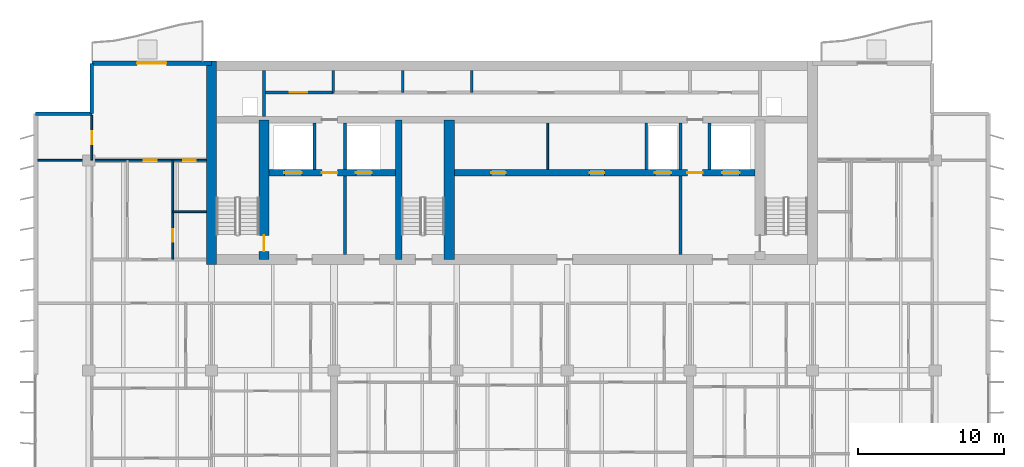
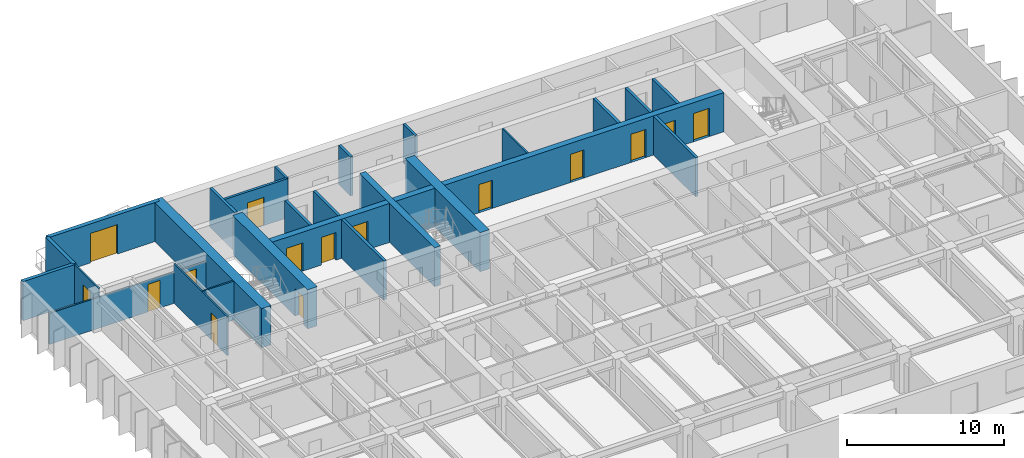
# One storey, part 11 of 17: 25 walls, 15 doors, 15 openings.
"""IFC4 building model written with IfcOpenShell, lengths in metres."""

from ifc_helpers import new_model, si_unit, direction, frame, frame_2d, origin, place, context, subcontext, project, spatial, rectangle, extrude, material, layer, layer_set, type_object, element, fill, save


model = new_model("IFC4")

# Units and contexts
model_context = context("Model", 3, precision=1e-05, world=origin(), true_north=direction((0.0, 1.0)))
body_context = subcontext(model_context, "Body", "Model", "MODEL_VIEW")
ifc_project = project(units=[si_unit("LENGTHUNIT", "METRE"), si_unit("AREAUNIT", "SQUARE_METRE"), si_unit("VOLUMEUNIT", "CUBIC_METRE"), si_unit("PLANEANGLEUNIT", "RADIAN"), si_unit("MASSUNIT", "GRAM", prefix="KILO")], contexts=[model_context])

# Site, building, storey
site_placement = place(None, origin())
site = spatial("IfcSite", under=ifc_project, at=site_placement, CompositionType="ELEMENT")
building_placement = place(site_placement, origin())
building = spatial("IfcBuilding", under=site, at=building_placement, Name="Caelmar Bay Residences", CompositionType="ELEMENT")
storey_placement = place(building_placement, frame((0.0, 0.0, 208.199951171875)))
storey = spatial("IfcBuildingStorey", under=building, at=storey_placement, Name="L58", CompositionType="ELEMENT", Elevation=208.199951171875)

# Wall
ifc_material_1 = material(Name="Concrete f'c 55 MPa (8,000 psi)", Category="concrete")
ifc_layer_1 = layer(ifc_material_1, 0.699951171875)
ifc_layer_set_1 = layer_set([ifc_layer_1], Name="Concrete f'c 55 MPa (8,000 psi)")
wall_type_1 = type_object("IfcWallType", Name="SW-COR-700", PredefinedType="SHEAR", material=ifc_layer_set_1)
wall_1_placement = place(storey_placement, frame((18.300048828125, 36.64990234375, 0.0), z_axis=(0.0, 0.0, 1.0), x_axis=(0.0, 1.0, 0.0)))
element("IfcWall", 1, at=wall_1_placement, inside=storey, type_object=wall_type_1, Name="L58 Rear Core West Shear Wall", PredefinedType="SHEAR", context=body_context, shape_type="SweptSolid", body=[
    extrude(rectangle(XDim=13.9501953125, YDim=0.699951171875, at=frame_2d((6.97509765625, 0.0))), origin(), (0.0, 0.0, 1.0), 3.050048828125),
])

# Wall, opening, door
wall_2_placement = place(storey_placement, frame((21.89990234375, 37.0, 0.0), z_axis=(0.0, 0.0, 1.0), x_axis=(0.0, 1.0, 0.0)))
wall_2 = element("IfcWall", 2, at=wall_2_placement, inside=storey, type_object=wall_type_1, Name="L58 Core Structural Web Wall ST1E", PredefinedType="SHEAR", context=body_context, shape_type="SweptSolid", body=[
    extrude(rectangle(XDim=9.574951171875, YDim=0.699951171875, at=frame_2d((4.78759765625, 0.0))), origin(), (0.0, 0.0, 1.0), 3.050048828125),
])
opening_1_placement = place(wall_2_placement, frame((0.550048828125, 0.0, 0.0)))
opening_1 = element("IfcOpeningElement", 3, at=opening_1_placement, cuts=wall_2, Name="Opening D-L58-107", PredefinedType="OPENING", context=body_context, shape_type="SweptSolid", body=[
    extrude(rectangle(XDim=1.10009765625, YDim=2.14990234375, at=frame_2d((0.550048828125, 1.074951171875))), frame((0.0, 0.35986328125, 0.0), z_axis=(0.0, -1.0, 0.0), x_axis=(1.0, 0.0, 0.0)), (0.0, 0.0, 1.0), 0.719970703125),
])
ifc_material_2 = material(Name="Fire-rated steel and walnut architectural door assembly", Category="steel")
ifc_layer_2 = layer(ifc_material_2, 0.050048828125)
ifc_layer_set_2 = layer_set([ifc_layer_2], Name="Fire-rated steel and walnut architectural door assembly")
door_type_1 = type_object("IfcDoorType", Name="D-STAIR-1100", OperationType="NOTDEFINED", PredefinedType="DOOR", material=ifc_layer_set_2)
door_1_placement = place(opening_1_placement, origin())
door_1 = element("IfcDoor", 4, at=door_1_placement, inside=storey, type_object=door_type_1, Name="L58 Firefighting Lobby West Door", OperationType="SINGLE_SWING_RIGHT", OverallHeight=2.14990234375, OverallWidth=1.10009765625, PredefinedType="DOOR", context=body_context, shape_type="SweptSolid", body=[
    extrude(rectangle(XDim=1.10009765625, YDim=2.14990234375, at=frame_2d((0.550048828125, 1.074951171875))), frame((0.0, 0.02490234375, 0.0), z_axis=(0.0, -1.0, 0.0), x_axis=(1.0, 0.0, 0.0)), (0.0, 0.0, 1.0), 0.050048828125),
])
fill(opening_1, door_1)

# Walls
wall_3_placement = place(storey_placement, frame((34.60009765625, 37.0, 0.0), z_axis=(0.0, 0.0, 1.0), x_axis=(0.0, 1.0, 0.0)))
element("IfcWall", 5, at=wall_3_placement, inside=storey, type_object=wall_type_1, Name="L58 Core Structural Web Wall ST3E", PredefinedType="SHEAR", context=body_context, shape_type="SweptSolid", body=[
    extrude(rectangle(XDim=9.574951171875, YDim=0.699951171875, at=frame_2d((4.78759765625, 0.0))), origin(), (0.0, 0.0, 1.0), 3.050048828125),
])
ifc_material_3 = material(Name="Concrete f'c 70 MPa (10,000 psi)", Category="concrete")
ifc_layer_3 = layer(ifc_material_3, 0.449951171875)
ifc_layer_set_3 = layer_set([ifc_layer_3], Name="Concrete f'c 70 MPa (10,000 psi)")
wall_type_2 = type_object("IfcWallType", Name="SW-WEB-450", PredefinedType="SHEAR", material=ifc_layer_set_3)
wall_4_placement = place(storey_placement, frame((31.125, 37.0, 0.0), z_axis=(0.0, 0.0, 1.0), x_axis=(0.0, 1.0, 0.0)))
element("IfcWall", 6, at=wall_4_placement, inside=storey, type_object=wall_type_2, Name="L58 Core Structural Web Wall ST3W", PredefinedType="SHEAR", context=body_context, shape_type="SweptSolid", body=[
    extrude(rectangle(XDim=9.574951171875, YDim=0.449951171875, at=frame_2d((4.78759765625, 0.0))), origin(), (0.0, 0.0, 1.0), 3.050048828125),
])

# Wall, openings, doors
wall_5_placement = place(storey_placement, frame((22.25, 42.949951171875, 0.0), z_axis=(0.0, 0.0, 1.0), x_axis=(1.0, 0.0, 0.0)))
wall_5 = element("IfcWall", 7, at=wall_5_placement, inside=storey, type_object=wall_type_2, Name="L58 Core Structural Web Wall LFR", PredefinedType="SHEAR", context=body_context, shape_type="SweptSolid", body=[
    extrude(rectangle(XDim=33.300048828125, YDim=0.449951171875, at=frame_2d((16.64990234375, 0.0))), origin(), (0.0, 0.0, 1.0), 3.050048828125),
])
opening_2_placement = place(wall_5_placement, frame((1.050048828125, 0.0, 0.0)))
opening_2 = element("IfcOpeningElement", 8, at=opening_2_placement, cuts=wall_5, Name="Opening LD2", PredefinedType="OPENING", context=body_context, shape_type="SweptSolid", body=[
    extrude(rectangle(XDim=1.199951171875, YDim=2.199951171875, at=frame_2d((0.60009765625, 1.10009765625))), frame((0.0, 0.23486328125, 0.0), z_axis=(0.0, -1.0, 0.0), x_axis=(1.0, 0.0, 0.0)), (0.0, 0.0, 1.0), 0.469970703125),
])
opening_3_placement = place(wall_5_placement, frame((31.050048828125, 0.0, 0.0)))
opening_3 = element("IfcOpeningElement", 9, at=opening_3_placement, cuts=wall_5, Name="Opening LD2", PredefinedType="OPENING", context=body_context, shape_type="SweptSolid", body=[
    extrude(rectangle(XDim=1.199951171875, YDim=2.199951171875, at=frame_2d((0.60009765625, 1.10009765625))), frame((0.0, 0.23486328125, 0.0), z_axis=(0.0, -1.0, 0.0), x_axis=(1.0, 0.0, 0.0)), (0.0, 0.0, 1.0), 0.469970703125),
])
opening_4_placement = place(wall_5_placement, frame((26.449951171875, 0.0, 0.0)))
opening_4 = element("IfcOpeningElement", 10, at=opening_4_placement, cuts=wall_5, Name="Opening LD1", PredefinedType="OPENING", context=body_context, shape_type="SweptSolid", body=[
    extrude(rectangle(XDim=1.10009765625, YDim=2.199951171875, at=frame_2d((0.550048828125, 1.10009765625))), frame((0.0, 0.23486328125, 0.0), z_axis=(0.0, -1.0, 0.0), x_axis=(1.0, 0.0, 0.0)), (0.0, 0.0, 1.0), 0.469970703125),
])
opening_5_placement = place(wall_5_placement, frame((5.949951171875, 0.0, 0.0)))
opening_5 = element("IfcOpeningElement", 11, at=opening_5_placement, cuts=wall_5, Name="Opening LD1", PredefinedType="OPENING", context=body_context, shape_type="SweptSolid", body=[
    extrude(rectangle(XDim=1.10009765625, YDim=2.199951171875, at=frame_2d((0.550048828125, 1.10009765625))), frame((0.0, 0.23486328125, 0.0), z_axis=(0.0, -1.0, 0.0), x_axis=(1.0, 0.0, 0.0)), (0.0, 0.0, 1.0), 0.469970703125),
])
opening_6_placement = place(wall_5_placement, frame((3.625, 0.0, 0.0)))
opening_6 = element("IfcOpeningElement", 12, at=opening_6_placement, cuts=wall_5, Name="Opening D-L58-108", PredefinedType="OPENING", context=body_context, shape_type="SweptSolid", body=[
    extrude(rectangle(XDim=1.050048828125, YDim=2.14990234375, at=frame_2d((0.52490234375, 1.074951171875))), frame((0.0, 0.23486328125, 0.0), z_axis=(0.0, -1.0, 0.0), x_axis=(1.0, 0.0, 0.0)), (0.0, 0.0, 1.0), 0.469970703125),
])
opening_7_placement = place(wall_5_placement, frame((28.675048828125, 0.0, 0.0)))
opening_7 = element("IfcOpeningElement", 13, at=opening_7_placement, cuts=wall_5, Name="Opening D-L58-111", PredefinedType="OPENING", context=body_context, shape_type="SweptSolid", body=[
    extrude(rectangle(XDim=1.050048828125, YDim=2.14990234375, at=frame_2d((0.52490234375, 1.074951171875))), frame((0.0, 0.23486328125, 0.0), z_axis=(0.0, -1.0, 0.0), x_axis=(1.0, 0.0, 0.0)), (0.0, 0.0, 1.0), 0.469970703125),
])
opening_8_placement = place(wall_5_placement, frame((15.22509765625, 0.0, 0.0)))
opening_8 = element("IfcOpeningElement", 14, at=opening_8_placement, cuts=wall_5, Name="Opening D-L58-114", PredefinedType="OPENING", context=body_context, shape_type="SweptSolid", body=[
    extrude(rectangle(XDim=1.0, YDim=2.199951171875, at=frame_2d((0.5, 1.10009765625))), frame((0.0, 0.23486328125, 0.0), z_axis=(0.0, -1.0, 0.0), x_axis=(1.0, 0.0, 0.0)), (0.0, 0.0, 1.0), 0.469970703125),
])
opening_9_placement = place(wall_5_placement, frame((21.97509765625, 0.0, 0.0)))
opening_9 = element("IfcOpeningElement", 15, at=opening_9_placement, cuts=wall_5, Name="Opening D-L58-115", PredefinedType="OPENING", context=body_context, shape_type="SweptSolid", body=[
    extrude(rectangle(XDim=1.0, YDim=2.199951171875, at=frame_2d((0.5, 1.10009765625))), frame((0.0, 0.23486328125, 0.0), z_axis=(0.0, -1.0, 0.0), x_axis=(1.0, 0.0, 0.0)), (0.0, 0.0, 1.0), 0.469970703125),
])
ifc_layer_4 = layer(ifc_material_2, 0.050048828125)
ifc_layer_set_4 = layer_set([ifc_layer_4], Name="Fire-rated steel and walnut architectural door assembly")
door_type_2 = type_object("IfcDoorType", Name="D-FSAE-1050", OperationType="NOTDEFINED", PredefinedType="DOOR", material=ifc_layer_set_4)
door_2_placement = place(opening_6_placement, origin())
door_2 = element("IfcDoor", 16, at=door_2_placement, inside=storey, type_object=door_type_2, Name="L58 Firefighting Lobby West Door", OperationType="SINGLE_SWING_LEFT", OverallHeight=2.14990234375, OverallWidth=1.050048828125, PredefinedType="DOOR", context=body_context, shape_type="SweptSolid", body=[
    extrude(rectangle(XDim=1.050048828125, YDim=2.14990234375, at=frame_2d((0.52490234375, 1.074951171875))), frame((0.0, 0.02490234375, 0.0), z_axis=(0.0, -1.0, 0.0), x_axis=(1.0, 0.0, 0.0)), (0.0, 0.0, 1.0), 0.050048828125),
])
fill(opening_6, door_2)
door_3_placement = place(opening_7_placement, origin())
door_3 = element("IfcDoor", 17, at=door_3_placement, inside=storey, type_object=door_type_2, Name="L58 Firefighting Lobby East Door", OperationType="SINGLE_SWING_RIGHT", OverallHeight=2.14990234375, OverallWidth=1.050048828125, PredefinedType="DOOR", context=body_context, shape_type="SweptSolid", body=[
    extrude(rectangle(XDim=1.050048828125, YDim=2.14990234375, at=frame_2d((0.52490234375, 1.074951171875))), frame((0.0, 0.02490234375, 0.0), z_axis=(0.0, -1.0, 0.0), x_axis=(1.0, 0.0, 0.0)), (0.0, 0.0, 1.0), 0.050048828125),
])
fill(opening_7, door_3)
ifc_material_4 = material(Name="Brushed bronze stainless-steel fire-rated lift landing doors", Category="steel")
ifc_layer_5 = layer(ifc_material_4, 0.050048828125)
ifc_layer_set_5 = layer_set([ifc_layer_5], Name="Brushed bronze stainless-steel fire-rated lift landing doors")
door_type_3 = type_object("IfcDoorType", Name="D-LND-1100", OperationType="DOUBLE_DOOR_SLIDING", PredefinedType="DOOR", material=ifc_layer_set_5)
door_4_placement = place(opening_4_placement, origin())
door_4 = element("IfcDoor", 18, at=door_4_placement, inside=storey, type_object=door_type_3, Name="L58 LP6 Sliding Landing Door", OperationType="DOUBLE_DOOR_SLIDING", OverallHeight=2.199951171875, OverallWidth=1.10009765625, PredefinedType="DOOR", context=body_context, shape_type="SweptSolid", body=[
    extrude(rectangle(XDim=1.10009765625, YDim=2.199951171875, at=frame_2d((0.550048828125, 1.10009765625))), frame((0.0, 0.02490234375, 0.0), z_axis=(0.0, -1.0, 0.0), x_axis=(1.0, 0.0, 0.0)), (0.0, 0.0, 1.0), 0.050048828125),
])
fill(opening_4, door_4)
door_5_placement = place(opening_5_placement, origin())
door_5 = element("IfcDoor", 19, at=door_5_placement, inside=storey, type_object=door_type_3, Name="L58 LP7 Sliding Landing Door", OperationType="DOUBLE_DOOR_SLIDING", OverallHeight=2.199951171875, OverallWidth=1.10009765625, PredefinedType="DOOR", context=body_context, shape_type="SweptSolid", body=[
    extrude(rectangle(XDim=1.10009765625, YDim=2.199951171875, at=frame_2d((0.550048828125, 1.10009765625))), frame((0.0, 0.02490234375, 0.0), z_axis=(0.0, -1.0, 0.0), x_axis=(1.0, 0.0, 0.0)), (0.0, 0.0, 1.0), 0.050048828125),
])
fill(opening_5, door_5)
ifc_material_5 = material(Name="Brushed stainless-steel FSAE sliding landing door", Category="steel")
ifc_layer_6 = layer(ifc_material_5, 0.050048828125)
ifc_layer_set_6 = layer_set([ifc_layer_6], Name="Brushed stainless-steel FSAE sliding landing door")
door_type_4 = type_object("IfcDoorType", Name="D-LND-1200", OperationType="DOUBLE_DOOR_SLIDING", PredefinedType="DOOR", material=ifc_layer_set_6)
door_6_placement = place(opening_2_placement, origin())
door_6 = element("IfcDoor", 20, at=door_6_placement, inside=storey, type_object=door_type_4, Name="L58 LF1 Sliding Landing Door", OperationType="DOUBLE_DOOR_SLIDING", OverallHeight=2.199951171875, OverallWidth=1.199951171875, PredefinedType="DOOR", context=body_context, shape_type="SweptSolid", body=[
    extrude(rectangle(XDim=1.199951171875, YDim=2.199951171875, at=frame_2d((0.60009765625, 1.10009765625))), frame((0.0, 0.02490234375, 0.0), z_axis=(0.0, -1.0, 0.0), x_axis=(1.0, 0.0, 0.0)), (0.0, 0.0, 1.0), 0.050048828125),
])
fill(opening_2, door_6)
door_7_placement = place(opening_3_placement, origin())
door_7 = element("IfcDoor", 21, at=door_7_placement, inside=storey, type_object=door_type_4, Name="L58 LF2 Sliding Landing Door", OperationType="DOUBLE_DOOR_SLIDING", OverallHeight=2.199951171875, OverallWidth=1.199951171875, PredefinedType="DOOR", context=body_context, shape_type="SweptSolid", body=[
    extrude(rectangle(XDim=1.199951171875, YDim=2.199951171875, at=frame_2d((0.60009765625, 1.10009765625))), frame((0.0, 0.02490234375, 0.0), z_axis=(0.0, -1.0, 0.0), x_axis=(1.0, 0.0, 0.0)), (0.0, 0.0, 1.0), 0.050048828125),
])
fill(opening_3, door_7)
ifc_layer_7 = layer(ifc_material_2, 0.050048828125)
ifc_layer_set_7 = layer_set([ifc_layer_7], Name="Fire-rated steel and walnut architectural door assembly")
door_type_5 = type_object("IfcDoorType", Name="D-UNIT-1000", OperationType="NOTDEFINED", PredefinedType="DOOR", material=ifc_layer_set_7)
door_8_placement = place(opening_8_placement, origin())
door_8 = element("IfcDoor", 22, at=door_8_placement, inside=storey, type_object=door_type_5, Name="L58 Music Study Room Door", OperationType="SINGLE_SWING_LEFT", OverallHeight=2.199951171875, OverallWidth=1.0, PredefinedType="DOOR", context=body_context, shape_type="SweptSolid", body=[
    extrude(rectangle(XDim=1.0, YDim=2.199951171875, at=frame_2d((0.5, 1.10009765625))), frame((0.0, 0.02490234375, 0.0), z_axis=(0.0, -1.0, 0.0), x_axis=(1.0, 0.0, 0.0)), (0.0, 0.0, 1.0), 0.050048828125),
])
fill(opening_8, door_8)
door_9_placement = place(opening_9_placement, origin())
door_9 = element("IfcDoor", 23, at=door_9_placement, inside=storey, type_object=door_type_5, Name="L58 Board Meeting Room Door", OperationType="SINGLE_SWING_RIGHT", OverallHeight=2.199951171875, OverallWidth=1.0, PredefinedType="DOOR", context=body_context, shape_type="SweptSolid", body=[
    extrude(rectangle(XDim=1.0, YDim=2.199951171875, at=frame_2d((0.5, 1.10009765625))), frame((0.0, 0.02490234375, 0.0), z_axis=(0.0, -1.0, 0.0), x_axis=(1.0, 0.0, 0.0)), (0.0, 0.0, 1.0), 0.050048828125),
])
fill(opening_9, door_9)

# Walls
ifc_material_6 = material(Name="Double-stud acoustic fire-rated gypsum partition 180 mm")
ifc_layer_8 = layer(ifc_material_6, 0.179931640625)
ifc_layer_set_8 = layer_set([ifc_layer_8], Name="Double-stud acoustic fire-rated gypsum partition 180 mm")
wall_type_3 = type_object("IfcWallType", Name="W-COR-200", PredefinedType="PARTITIONING", material=ifc_layer_set_8)
for number, where, z_axis, x_axis, name in (
    (24, (26.64990234375, 48.449951171875, 0.0), (0.0, 0.0, 1.0), (0.0, 1.0, 0.0), "L58 Partition Wall V013"),
    (25, (31.39990234375, 48.449951171875, 0.0), (0.0, 0.0, 1.0), (0.0, 1.0, 0.0), "L58 Partition Wall V020"),
    (26, (36.14990234375, 48.449951171875, 0.0), (0.0, 0.0, 1.0), (0.0, 1.0, 0.0), "L58 Partition Wall V024"),
):
    element("IfcWall", number, at=place(storey_placement, frame(where, z_axis=z_axis, x_axis=x_axis)), inside=storey, type_object=wall_type_3, Name=name, PredefinedType="PARTITIONING", context=body_context, shape_type="SweptSolid", body=[
        extrude(rectangle(XDim=1.505126953125, YDim=0.179931640625, at=frame_2d((0.75244140625, 0.0))), origin(), (0.0, 0.0, 1.0), 3.050048828125),
    ])

# Wall, opening, door
wall_6_placement = place(storey_placement, frame((21.89990234375, 48.449951171875, 0.0), z_axis=(0.0, 0.0, 1.0), x_axis=(1.0, 0.0, 0.0)))
wall_6 = element("IfcWall", 27, at=wall_6_placement, inside=storey, type_object=wall_type_3, Name="L58 Partition Wall H078", PredefinedType="PARTITIONING", context=body_context, shape_type="SweptSolid", body=[
    extrude(rectangle(XDim=4.75, YDim=0.179931640625, at=frame_2d((2.375, 0.0))), origin(), (0.0, 0.0, 1.0), 3.050048828125),
])
opening_10_placement = place(wall_6_placement, frame((1.77490234375, 0.0, 0.0)))
opening_10 = element("IfcOpeningElement", 28, at=opening_10_placement, cuts=wall_6, Name="Opening D-L58-118", PredefinedType="OPENING", context=body_context, shape_type="SweptSolid", body=[
    extrude(rectangle(XDim=1.199951171875, YDim=2.199951171875, at=frame_2d((0.60009765625, 1.10009765625))), frame((0.0, 0.099853515625, 0.0), z_axis=(0.0, -1.0, 0.0), x_axis=(1.0, 0.0, 0.0)), (0.0, 0.0, 1.0), 0.199951171875),
])
ifc_layer_9 = layer(ifc_material_2, 0.050048828125)
ifc_layer_set_9 = layer_set([ifc_layer_9], Name="Fire-rated steel and walnut architectural door assembly")
door_type_6 = type_object("IfcDoorType", Name="D-PLANT-1200", OperationType="NOTDEFINED", PredefinedType="DOOR", material=ifc_layer_set_9)
door_10_placement = place(opening_10_placement, origin())
door_10 = element("IfcDoor", 29, at=door_10_placement, inside=storey, type_object=door_type_6, Name="L58 Branch Panel Closet Door", OperationType="SINGLE_SWING_LEFT", OverallHeight=2.199951171875, OverallWidth=1.199951171875, PredefinedType="DOOR", context=body_context, shape_type="SweptSolid", body=[
    extrude(rectangle(XDim=1.199951171875, YDim=2.199951171875, at=frame_2d((0.60009765625, 1.10009765625))), frame((0.0, 0.02490234375, 0.0), z_axis=(0.0, -1.0, 0.0), x_axis=(1.0, 0.0, 0.0)), (0.0, 0.0, 1.0), 0.050048828125),
])
fill(opening_10, door_10)

# Walls
ifc_material_7 = material(Name="Precast concrete f'c 40 MPa (6,000 psi)", Category="concrete")
ifc_layer_10 = layer(ifc_material_7, 0.25)
ifc_layer_set_10 = layer_set([ifc_layer_10], Name="Precast concrete f'c 40 MPa (6,000 psi)")
wall_type_4 = type_object("IfcWallType", Name="W-EXT-250", PredefinedType="ELEMENTEDWALL", material=ifc_layer_set_10)
wall_7_placement = place(storey_placement, frame((6.25, 47.0, 0.0), z_axis=(0.0, 0.0, 1.0), x_axis=(1.0, 0.0, 0.0)))
element("IfcWall", 30, at=wall_7_placement, inside=storey, type_object=wall_type_4, Name="L58 NNW-H Notch Wall", PredefinedType="ELEMENTEDWALL", context=body_context, shape_type="SweptSolid", body=[
    extrude(rectangle(XDim=3.85009765625, YDim=0.25, at=frame_2d((1.925048828125, 0.0))), origin(), (0.0, 0.0, 1.0), 3.050048828125),
])
wall_8_placement = place(storey_placement, frame((10.10009765625, 47.0, 0.0), z_axis=(0.0, 0.0, 1.0), x_axis=(0.0, 1.0, 0.0)))
element("IfcWall", 31, at=wall_8_placement, inside=storey, type_object=wall_type_4, Name="L58 NNW-V Notch Wall", PredefinedType="ELEMENTEDWALL", context=body_context, shape_type="SweptSolid", body=[
    extrude(rectangle(XDim=3.449951171875, YDim=0.25, at=frame_2d((1.72509765625, 0.0))), origin(), (0.0, 0.0, 1.0), 3.050048828125),
])

# Wall, opening, door
ifc_layer_11 = layer(ifc_material_7, 0.300048828125)
ifc_layer_set_11 = layer_set([ifc_layer_11], Name="Precast concrete f'c 40 MPa (6,000 psi)")
wall_type_5 = type_object("IfcWallType", Name="W-EXT-300", PredefinedType="STANDARD", material=ifc_layer_set_11)
wall_9_placement = place(storey_placement, frame((10.10009765625, 50.449951171875, 0.0), z_axis=(0.0, 0.0, 1.0), x_axis=(1.0, 0.0, 0.0)))
wall_9 = element("IfcWall", 32, at=wall_9_placement, inside=storey, type_object=wall_type_5, Name="L58 North-West Wing Exterior Wall", PredefinedType="STANDARD", context=body_context, shape_type="SweptSolid", body=[
    extrude(rectangle(XDim=8.199951171875, YDim=0.300048828125, at=frame_2d((4.10009765625, 0.0))), origin(), (0.0, 0.0, 1.0), 3.050048828125),
])
opening_11_placement = place(wall_9_placement, frame((3.10009765625, 0.0, 0.0)))
opening_11 = element("IfcOpeningElement", 33, at=opening_11_placement, cuts=wall_9, Name="Opening L58-BDNW", PredefinedType="OPENING", context=body_context, shape_type="SweptSolid", body=[
    extrude(rectangle(XDim=2.0, YDim=2.300048828125, at=frame_2d((1.0, 1.14990234375))), frame((0.0, 0.159912109375, 0.0), z_axis=(0.0, -1.0, 0.0), x_axis=(1.0, 0.0, 0.0)), (0.0, 0.0, 1.0), 0.320068359375),
])
ifc_material_8 = material(Name="Anodised bronze thermally broken sliding glass door", Category="glass")
ifc_layer_12 = layer(ifc_material_8, 0.050048828125)
ifc_layer_set_12 = layer_set([ifc_layer_12], Name="Anodised bronze thermally broken sliding glass door")
door_type_7 = type_object("IfcDoorType", Name="D-BAL-2000", OperationType="DOUBLE_DOOR_SLIDING", PredefinedType="DOOR", material=ifc_layer_set_12)
door_11_placement = place(opening_11_placement, origin())
door_11 = element("IfcDoor", 34, at=door_11_placement, inside=storey, type_object=door_type_7, Name="L58 North-West Balcony Door", OperationType="DOUBLE_DOOR_SLIDING", OverallHeight=2.300048828125, OverallWidth=2.0, PredefinedType="DOOR", context=body_context, shape_type="SweptSolid", body=[
    extrude(rectangle(XDim=2.0, YDim=2.300048828125, at=frame_2d((1.0, 1.14990234375))), frame((0.0, 0.02490234375, 0.0), z_axis=(0.0, -1.0, 0.0), x_axis=(1.0, 0.0, 0.0)), (0.0, 0.0, 1.0), 0.050048828125),
])
fill(opening_11, door_11)

# Walls
ifc_material_9 = material(Name="Fire-rated masonry and gypsum shaftliner assembly 200 mm", Category="masonry")
ifc_layer_13 = layer(ifc_material_9, 0.199951171875)
ifc_layer_set_13 = layer_set([ifc_layer_13], Name="Fire-rated masonry and gypsum shaftliner assembly 200 mm")
wall_type_6 = type_object("IfcWallType", Name="W-FSAE-200", PredefinedType="PARTITIONING", material=ifc_layer_set_13)
wall_10_placement = place(storey_placement, frame((21.89990234375, 46.794921875, 0.0), z_axis=(0.0, 0.0, 1.0), x_axis=(0.0, 1.0, 0.0)))
element("IfcWall", 35, at=wall_10_placement, inside=storey, type_object=wall_type_6, Name="L58 Partition Wall V010", PredefinedType="PARTITIONING", context=body_context, shape_type="SweptSolid", body=[
    extrude(rectangle(XDim=3.16015625, YDim=0.199951171875, at=frame_2d((1.580078125, 0.0))), origin(), (0.0, 0.0, 1.0), 3.050048828125),
])
wall_11_placement = place(storey_placement, frame((25.35009765625, 43.169921875, 0.0), z_axis=(0.0, 0.0, 1.0), x_axis=(0.0, 1.0, 0.0)))
element("IfcWall", 36, at=wall_11_placement, inside=storey, type_object=wall_type_6, Name="L58 Partition Wall V012", PredefinedType="PARTITIONING", context=body_context, shape_type="SweptSolid", body=[
    extrude(rectangle(XDim=3.18505859375, YDim=0.199951171875, at=frame_2d((1.592529296875, 0.0))), origin(), (0.0, 0.0, 1.0), 3.050048828125),
])
wall_12_placement = place(storey_placement, frame((27.449951171875, 37.344970703125, 0.0), z_axis=(0.0, 0.0, 1.0), x_axis=(0.0, 1.0, 0.0)))
element("IfcWall", 37, at=wall_12_placement, inside=storey, type_object=wall_type_6, Name="L58 Partition Wall V017", PredefinedType="PARTITIONING", context=body_context, shape_type="SweptSolid", body=[
    extrude(rectangle(XDim=5.385009765625, YDim=0.199951171875, at=frame_2d((2.6923828125, 0.0))), origin(), (0.0, 0.0, 1.0), 3.050048828125),
])
for number, where, z_axis, x_axis, name in (
    (38, (27.449951171875, 43.169921875, 0.0), (0.0, 0.0, 1.0), (0.0, 1.0, 0.0), "L58 Partition Wall V018"),
    (39, (48.10009765625, 43.169921875, 0.0), (0.0, 0.0, 1.0), (0.0, 1.0, 0.0), "L58 Partition Wall V030"),
):
    element("IfcWall", number, at=place(storey_placement, frame(where, z_axis=z_axis, x_axis=x_axis)), inside=storey, type_object=wall_type_6, Name=name, PredefinedType="PARTITIONING", context=body_context, shape_type="SweptSolid", body=[
        extrude(rectangle(XDim=3.18505859375, YDim=0.199951171875, at=frame_2d((1.592529296875, 0.0))), origin(), (0.0, 0.0, 1.0), 3.050048828125),
    ])
wall_13_placement = place(storey_placement, frame((50.449951171875, 37.344970703125, 0.0), z_axis=(0.0, 0.0, 1.0), x_axis=(0.0, 1.0, 0.0)))
element("IfcWall", 40, at=wall_13_placement, inside=storey, type_object=wall_type_6, Name="L58 Partition Wall V032", PredefinedType="PARTITIONING", context=body_context, shape_type="SweptSolid", body=[
    extrude(rectangle(XDim=5.385009765625, YDim=0.199951171875, at=frame_2d((2.6923828125, 0.0))), origin(), (0.0, 0.0, 1.0), 3.050048828125),
])
for number, where, z_axis, x_axis, name in (
    (41, (50.449951171875, 43.169921875, 0.0), (0.0, 0.0, 1.0), (0.0, 1.0, 0.0), "L58 Partition Wall V033"),
    (42, (52.449951171875, 43.169921875, 0.0), (0.0, 0.0, 1.0), (0.0, 1.0, 0.0), "L58 Partition Wall V038"),
):
    element("IfcWall", number, at=place(storey_placement, frame(where, z_axis=z_axis, x_axis=x_axis)), inside=storey, type_object=wall_type_6, Name=name, PredefinedType="PARTITIONING", context=body_context, shape_type="SweptSolid", body=[
        extrude(rectangle(XDim=3.18505859375, YDim=0.199951171875, at=frame_2d((1.592529296875, 0.0))), origin(), (0.0, 0.0, 1.0), 3.050048828125),
    ])

# Wall, opening, door
ifc_material_10 = material(Name="Acoustic metal-stud gypsum partition 120 mm")
ifc_layer_14 = layer(ifc_material_10, 0.1201171875)
ifc_layer_set_14 = layer_set([ifc_layer_14], Name="Acoustic metal-stud gypsum partition 120 mm")
wall_type_7 = type_object("IfcWallType", Name="W-PRT-120", PredefinedType="PARTITIONING", material=ifc_layer_set_14)
wall_14_placement = place(storey_placement, frame((10.10009765625, 43.804931640625, 0.0), z_axis=(0.0, 0.0, 1.0), x_axis=(0.0, 1.0, 0.0)))
wall_14 = element("IfcWall", 43, at=wall_14_placement, inside=storey, type_object=wall_type_7, Name="L58 Partition Wall V004", PredefinedType="PARTITIONING", context=body_context, shape_type="SweptSolid", body=[
    extrude(rectangle(XDim=3.074951171875, YDim=0.1201171875, at=frame_2d((1.53759765625, 0.0))), origin(), (0.0, 0.0, 1.0), 3.050048828125),
])
opening_12_placement = place(wall_14_placement, frame((1.08740234375, 0.0, 0.0)))
opening_12 = element("IfcOpeningElement", 44, at=opening_12_placement, cuts=wall_14, Name="Opening D-L58-166", PredefinedType="OPENING", context=body_context, shape_type="SweptSolid", body=[
    extrude(rectangle(XDim=0.89990234375, YDim=2.14990234375, at=frame_2d((0.449951171875, 1.074951171875))), frame((0.0, 0.070068359375, 0.0), z_axis=(0.0, -1.0, 0.0), x_axis=(1.0, 0.0, 0.0)), (0.0, 0.0, 1.0), 0.14013671875),
])
ifc_material_11 = material(Name="Solid walnut timber interior door leaf and frame", Category="wood")
ifc_layer_15 = layer(ifc_material_11, 0.050048828125)
ifc_layer_set_15 = layer_set([ifc_layer_15], Name="Solid walnut timber interior door leaf and frame")
door_type_8 = type_object("IfcDoorType", Name="D-ROOM-900", OperationType="NOTDEFINED", PredefinedType="DOOR", material=ifc_layer_set_15)
door_12_placement = place(opening_12_placement, origin())
door_12 = element("IfcDoor", 45, at=door_12_placement, inside=storey, type_object=door_type_8, Name="L58 Residence WA North Sitting Alcove Door", OperationType="SINGLE_SWING_LEFT", OverallHeight=2.14990234375, OverallWidth=0.89990234375, PredefinedType="DOOR", context=body_context, shape_type="SweptSolid", body=[
    extrude(rectangle(XDim=0.89990234375, YDim=2.14990234375, at=frame_2d((0.449951171875, 1.074951171875))), frame((0.0, 0.02490234375, 0.0), z_axis=(0.0, -1.0, 0.0), x_axis=(1.0, 0.0, 0.0)), (0.0, 0.0, 1.0), 0.050048828125),
])
fill(opening_12, door_12)

wall_15_placement = place(storey_placement, frame((15.64990234375, 37.0, 0.0), z_axis=(0.0, 0.0, 1.0), x_axis=(0.0, 1.0, 0.0)))
wall_15 = element("IfcWall", 46, at=wall_15_placement, inside=storey, type_object=wall_type_7, Name="L58 Partition Wall V006", PredefinedType="PARTITIONING", context=body_context, shape_type="SweptSolid", body=[
    extrude(rectangle(XDim=6.800048828125, YDim=0.1201171875, at=frame_2d((3.39990234375, 0.0))), origin(), (0.0, 0.0, 1.0), 3.050048828125),
])
opening_13_placement = place(wall_15_placement, frame((1.20703125, 0.0, 0.0)))
opening_13 = element("IfcOpeningElement", 47, at=opening_13_placement, cuts=wall_15, Name="Opening D-L58-163", PredefinedType="OPENING", context=body_context, shape_type="SweptSolid", body=[
    extrude(rectangle(XDim=0.85009765625, YDim=2.10009765625, at=frame_2d((0.425048828125, 1.050048828125))), frame((0.0, 0.070068359375, 0.0), z_axis=(0.0, -1.0, 0.0), x_axis=(1.0, 0.0, 0.0)), (0.0, 0.0, 1.0), 0.14013671875),
])
ifc_layer_16 = layer(ifc_material_11, 0.050048828125)
ifc_layer_set_16 = layer_set([ifc_layer_16], Name="Solid walnut timber interior door leaf and frame")
door_type_9 = type_object("IfcDoorType", Name="D-BATH-850", OperationType="NOTDEFINED", PredefinedType="DOOR", material=ifc_layer_set_16)
door_13_placement = place(opening_13_placement, origin())
door_13 = element("IfcDoor", 48, at=door_13_placement, inside=storey, type_object=door_type_9, Name="L58 Residence WA Walk-In Closet Door", OperationType="SINGLE_SWING_RIGHT", OverallHeight=2.10009765625, OverallWidth=0.85009765625, PredefinedType="DOOR", context=body_context, shape_type="SweptSolid", body=[
    extrude(rectangle(XDim=0.85009765625, YDim=2.10009765625, at=frame_2d((0.425048828125, 1.050048828125))), frame((0.0, 0.02490234375, 0.0), z_axis=(0.0, -1.0, 0.0), x_axis=(1.0, 0.0, 0.0)), (0.0, 0.0, 1.0), 0.050048828125),
])
fill(opening_13, door_13)

# Walls
wall_16_placement = place(storey_placement, frame((41.35009765625, 43.169921875, 0.0), z_axis=(0.0, 0.0, 1.0), x_axis=(0.0, 1.0, 0.0)))
element("IfcWall", 49, at=wall_16_placement, inside=storey, type_object=wall_type_7, Name="L58 Partition Wall V026", PredefinedType="PARTITIONING", context=body_context, shape_type="SweptSolid", body=[
    extrude(rectangle(XDim=3.18505859375, YDim=0.1201171875, at=frame_2d((1.592529296875, 0.0))), origin(), (0.0, 0.0, 1.0), 3.050048828125),
])
wall_17_placement = place(storey_placement, frame((15.64990234375, 40.263916015625, 0.0), z_axis=(0.0, 0.0, 1.0), x_axis=(1.0, 0.0, 0.0)))
element("IfcWall", 50, at=wall_17_placement, inside=storey, type_object=wall_type_7, Name="L58 Partition Wall H074", PredefinedType="PARTITIONING", context=body_context, shape_type="SweptSolid", body=[
    extrude(rectangle(XDim=2.30517578125, YDim=0.1201171875, at=frame_2d((1.152587890625, 0.0))), origin(), (0.0, 0.0, 1.0), 3.050048828125),
])

# Wall, openings, doors
wall_18_placement = place(storey_placement, frame((6.39501953125, 43.800048828125, 0.0), z_axis=(0.0, 0.0, 1.0), x_axis=(1.0, 0.0, 0.0)))
wall_18 = element("IfcWall", 51, at=wall_18_placement, inside=storey, type_object=wall_type_7, Name="L58 Partition Wall H076", PredefinedType="PARTITIONING", context=body_context, shape_type="SweptSolid", body=[
    extrude(rectangle(XDim=11.56005859375, YDim=0.1201171875, at=frame_2d((5.780029296875, 0.0))), origin(), (0.0, 0.0, 1.0), 2.41796875),
])
opening_14_placement = place(wall_18_placement, frame((7.2509765625, 0.0, 0.0)))
opening_14 = element("IfcOpeningElement", 52, at=opening_14_placement, cuts=wall_18, Name="Opening D-L58-162", PredefinedType="OPENING", context=body_context, shape_type="SweptSolid", body=[
    extrude(rectangle(XDim=0.89990234375, YDim=2.14990234375, at=frame_2d((0.449951171875, 1.074951171875))), frame((0.0, 0.070068359375, 0.0), z_axis=(0.0, -1.0, 0.0), x_axis=(1.0, 0.0, 0.0)), (0.0, 0.0, 1.0), 0.14013671875),
])
opening_15_placement = place(wall_18_placement, frame((9.982421875, 0.0, 0.0)))
opening_15 = element("IfcOpeningElement", 53, at=opening_15_placement, cuts=wall_18, Name="Opening D-L58-164", PredefinedType="OPENING", context=body_context, shape_type="SweptSolid", body=[
    extrude(rectangle(XDim=0.85009765625, YDim=2.10009765625, at=frame_2d((0.425048828125, 1.050048828125))), frame((0.0, 0.070068359375, 0.0), z_axis=(0.0, -1.0, 0.0), x_axis=(1.0, 0.0, 0.0)), (0.0, 0.0, 1.0), 0.14013671875),
])
door_14_placement = place(opening_15_placement, origin())
door_14 = element("IfcDoor", 54, at=door_14_placement, inside=storey, type_object=door_type_9, Name="L58 Residence WA Bathroom Door", OperationType="SINGLE_SWING_LEFT", OverallHeight=2.10009765625, OverallWidth=0.85009765625, PredefinedType="DOOR", context=body_context, shape_type="SweptSolid", body=[
    extrude(rectangle(XDim=0.85009765625, YDim=2.10009765625, at=frame_2d((0.425048828125, 1.050048828125))), frame((0.0, 0.02490234375, 0.0), z_axis=(0.0, -1.0, 0.0), x_axis=(1.0, 0.0, 0.0)), (0.0, 0.0, 1.0), 0.050048828125),
])
fill(opening_15, door_14)
door_15_placement = place(opening_14_placement, origin())
door_15 = element("IfcDoor", 55, at=door_15_placement, inside=storey, type_object=door_type_8, Name="L58 Residence WA Studio Living and Sleeping Room Door", OperationType="SINGLE_SWING_LEFT", OverallHeight=2.14990234375, OverallWidth=0.89990234375, PredefinedType="DOOR", context=body_context, shape_type="SweptSolid", body=[
    extrude(rectangle(XDim=0.89990234375, YDim=2.14990234375, at=frame_2d((0.449951171875, 1.074951171875))), frame((0.0, 0.02490234375, 0.0), z_axis=(0.0, -1.0, 0.0), x_axis=(1.0, 0.0, 0.0)), (0.0, 0.0, 1.0), 0.050048828125),
])
fill(opening_14, door_15)

save(model, "model.ifc")
